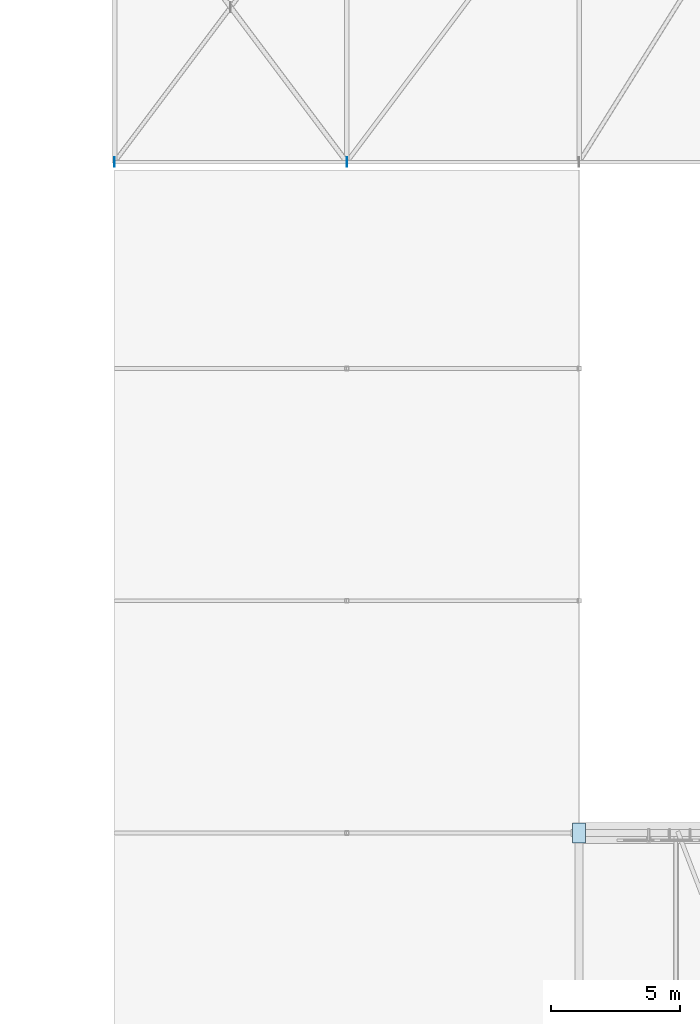
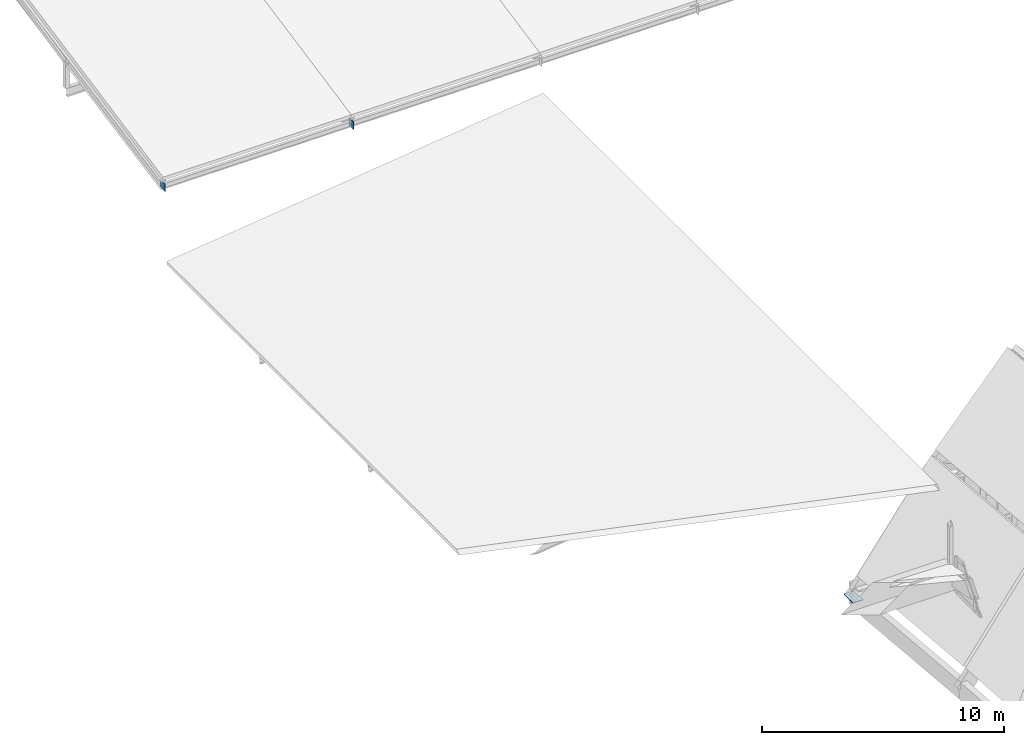
# One storey, part 69 of 93: 3 plates.
"""IFC4 building model written with IfcOpenShell, lengths in metres."""

import ifcopenshell
import ifcopenshell.guid

model = None  # the IFC model being written
_history = None  # IfcOwnerHistory: only IFC2X3 demands one
_inside = {}  # id of a spatial element -> (the spatial element, [elements in it])
_under = {}  # id of a project, library or spatial element -> (it, [spatial elements below it])
_declared = {}  # id of a project -> (the project, [libraries it declares])
_typed = {}  # id of a type object -> (the type object, [elements of that type])
_made_of = {}  # id of a material, layer set ... -> (it, [elements and type objects made of it])


def new_model(schema):
    """Start an empty IFC model of exactly this schema.

    Asked for "IFC4X3", IfcOpenShell would pick the latest addendum, in which some entities
    have other attributes; the version numbers below select the first issue.
    IFC2X3 requires an IfcOwnerHistory on every rooted entity: one is made here for all.
    """
    global model, _history
    if schema == "IFC4X3":
        model = ifcopenshell.file(schema_version=(4, 3, 0, 0))
    else:
        model = ifcopenshell.file(schema=schema)
    _inside.clear()
    _under.clear()
    _declared.clear()
    _typed.clear()
    _made_of.clear()
    _history = None
    if model.schema == "IFC2X3":
        org = make("IfcOrganization", Name="unknown")
        user = make(
            "IfcPersonAndOrganization",
            ThePerson=make("IfcPerson", FamilyName="unknown"),
            TheOrganization=org,
        )
        app = make(
            "IfcApplication",
            ApplicationDeveloper=org,
            Version="unknown",
            ApplicationFullName="unknown",
            ApplicationIdentifier="unknown",
        )
        _history = make(
            "IfcOwnerHistory",
            OwningUser=user,
            OwningApplication=app,
            ChangeAction="ADDED",
            CreationDate=0,
        )
    return model


def make(cls, **values):
    """One entity of the class cls with the attributes given. An attribute that is None is left unset."""
    return model.create_entity(
        cls, **{name: value for name, value in values.items() if value is not None}
    )


def rooted(cls, **values):
    """An entity with a GlobalId (a new one), such as an element, a storey or a relation."""
    return make(cls, GlobalId=ifcopenshell.guid.new(), OwnerHistory=_history, **values)


def si_unit(unit_type, name, prefix=None):
    """IfcSIUnit, for example si_unit("LENGTHUNIT", "METRE", prefix="MILLI")."""
    return make("IfcSIUnit", UnitType=unit_type, Prefix=prefix, Name=name)


def assignment(units):
    """IfcUnitAssignment: the units of a project."""
    return None if units is None else make("IfcUnitAssignment", Units=units)


def point(xyz):
    """IfcCartesianPoint."""
    return None if xyz is None else make("IfcCartesianPoint", Coordinates=xyz)


def direction(xyz):
    """IfcDirection."""
    return None if xyz is None else make("IfcDirection", DirectionRatios=xyz)


def frame(location, z_axis=None, x_axis=None):
    """IfcAxis2Placement3D, a coordinate frame: its origin and axes. An axis left out is left unset."""
    return make(
        "IfcAxis2Placement3D",
        Location=point(location),
        Axis=direction(z_axis),
        RefDirection=direction(x_axis),
    )


def frame_2d(location, x_axis=None):
    """IfcAxis2Placement2D, a coordinate frame in the plane: its origin and x axis."""
    return make(
        "IfcAxis2Placement2D", Location=point(location), RefDirection=direction(x_axis)
    )


def origin():
    """The frame at (0, 0, 0) with its axes left unset."""
    return frame((0.0, 0.0, 0.0))


def origin_2d():
    """The frame at (0, 0) in the plane with its x axis left unset."""
    return frame_2d((0.0, 0.0))


def place(relative_to, where):
    """IfcLocalPlacement: puts the frame where relative to a parent placement (None: the world)."""
    return make(
        "IfcLocalPlacement", PlacementRelTo=relative_to, RelativePlacement=where
    )


def context(
    kind, dimensions, precision=None, world=None, true_north=None, identifier=None
):
    """IfcGeometricRepresentationContext, for example the 3D "Model" context."""
    return make(
        "IfcGeometricRepresentationContext",
        ContextIdentifier=identifier,
        ContextType=kind,
        CoordinateSpaceDimension=dimensions,
        Precision=precision,
        WorldCoordinateSystem=world,
        TrueNorth=true_north,
    )


def subcontext(parent, identifier, kind, view, scale=None):
    """IfcGeometricRepresentationSubContext, for example "Body" below "Model"."""
    return make(
        "IfcGeometricRepresentationSubContext",
        ContextIdentifier=identifier,
        ContextType=kind,
        ParentContext=parent,
        TargetScale=scale,
        TargetView=view,
    )


def project(units=None, contexts=None):
    """IfcProject with its units and contexts."""
    return rooted(
        "IfcProject",
        Name="project",
        RepresentationContexts=contexts,
        UnitsInContext=assignment(units),
    )


def spatial(cls, under=None, at=None, **own):
    """A site, building, storey or space (cls), placed at a placement, below another one or the project."""
    s = rooted(cls, ObjectPlacement=at, **own)
    if under is not None:
        _under.setdefault(under.id(), (under, []))[1].append(s)
    return s


def profile(cls, at=None, kind="AREA", **sizes):
    """A parametric profile (cls). Its sizes go by their IFC names, for example OverallWidth=200.0."""
    return make(cls, ProfileType=kind, Position=at, **sizes)


def rectangle(**sizes):
    """IfcRectangleProfileDef."""
    return profile("IfcRectangleProfileDef", **sizes)


def extrude(swept, where, along, depth):
    """IfcExtrudedAreaSolid: the profile swept, set in the frame where, extruded along a direction by depth."""
    return make(
        "IfcExtrudedAreaSolid",
        SweptArea=swept,
        Position=where,
        ExtrudedDirection=direction(along),
        Depth=depth,
    )


def shape(context_of_items, identifier, shape_type, items):
    """IfcShapeRepresentation: the items that make up one representation, for example the "Body"."""
    return make(
        "IfcShapeRepresentation",
        ContextOfItems=context_of_items,
        RepresentationIdentifier=identifier,
        RepresentationType=shape_type,
        Items=items,
    )


def material(Name=None, Category=None):
    """IfcMaterial."""
    return make("IfcMaterial", Name=Name, Category=Category)


def layer(
    of_material, thickness, ventilated=None, Name=None, Category=None, Priority=None
):
    """IfcMaterialLayer: one layer of a wall or slab, of a material (None: an air gap)."""
    return make(
        "IfcMaterialLayer",
        Material=of_material,
        LayerThickness=thickness,
        IsVentilated=ventilated,
        Name=Name,
        Category=Category,
        Priority=Priority,
    )


def layer_set(layers, Name=None):
    """IfcMaterialLayerSet."""
    return make("IfcMaterialLayerSet", MaterialLayers=layers, LayerSetName=Name)


def made_of(thing, what):
    """Note that an element or type object is made of a material, layer set ...; save() writes the relation."""
    if what is not None:
        _made_of.setdefault(what.id(), (what, []))[1].append(thing)
    return thing


def type_object(cls, material=None, **own):
    """A type object (cls), such as IfcWallType, which elements share."""
    return made_of(rooted(cls, **own), material)


def element(
    cls,
    number,
    at=None,
    inside=None,
    cuts=None,
    type_object=None,
    material=None,
    context=None,
    identifier="Body",
    shape_type=None,
    held_by="IfcProductDefinitionShape",
    body=None,
    shapes=None,
    **own,
):
    """One element of the class cls, such as IfcWall. Its Tag is "e" and its number.

    at: its placement. inside: the storey or other place that contains it. cuts: it is an
    opening in that element (IfcRelVoidsElement). A single representation is given by context,
    identifier, shape_type and body (its items); several are given by shapes. held_by: the class
    of the entity that holds the representations. save() writes the other relations.
    """
    e = rooted(cls, Tag="e%d" % number, ObjectPlacement=at, **own)
    if body is not None:
        shapes = [shape(context, identifier, shape_type, body)]
    if shapes is not None:
        e.Representation = make(held_by, Representations=shapes)
    if inside is not None:
        _inside.setdefault(inside.id(), (inside, []))[1].append(e)
    if cuts is not None:
        rooted(
            "IfcRelVoidsElement", RelatingBuildingElement=cuts, RelatedOpeningElement=e
        )
    if type_object is not None:
        _typed.setdefault(type_object.id(), (type_object, []))[1].append(e)
    return made_of(e, material)


def aggregate(whole, parts):
    """IfcRelAggregates: a whole, such as a stair, and the parts it consists of."""
    return rooted("IfcRelAggregates", RelatingObject=whole, RelatedObjects=parts)


def save(model, path):
    """Write the relations noted so far, then the file.

    IfcRelAggregates (storeys below a building ...), IfcRelContainedInSpatialStructure (elements
    in a storey), IfcRelDefinesByType, IfcRelAssociatesMaterial and IfcRelDeclares: one each for
    every whole, place, type object, material and project.
    """
    for whole, parts in _under.values():
        aggregate(whole, parts)
    for where, things in _inside.values():
        rooted(
            "IfcRelContainedInSpatialStructure",
            RelatedElements=things,
            RelatingStructure=where,
        )
    for kind, things in _typed.values():
        rooted("IfcRelDefinesByType", RelatedObjects=things, RelatingType=kind)
    for what, things in _made_of.values():
        rooted("IfcRelAssociatesMaterial", RelatedObjects=things, RelatingMaterial=what)
    for by, libraries in _declared.values():
        rooted("IfcRelDeclares", RelatingContext=by, RelatedDefinitions=libraries)
    model.write(path)


model = new_model("IFC4")

# Units and contexts
model_context = context("Model", 3, precision=1e-05, world=origin(), true_north=direction((0.0, 1.0)))
body_context = subcontext(model_context, "Body", "Model", "MODEL_VIEW")
ifc_project = project(units=[si_unit("LENGTHUNIT", "METRE"), si_unit("AREAUNIT", "SQUARE_METRE"), si_unit("VOLUMEUNIT", "CUBIC_METRE"), si_unit("PLANEANGLEUNIT", "RADIAN"), si_unit("MASSUNIT", "GRAM", prefix="KILO")], contexts=[model_context])

# Site, building, storey
site_placement = place(None, origin())
site = spatial("IfcSite", under=ifc_project, at=site_placement, CompositionType="ELEMENT")
building_placement = place(site_placement, origin())
building = spatial("IfcBuilding", under=site, at=building_placement, Name="Vourika Railside Aquatics Centre", CompositionType="ELEMENT")
storey_placement = place(building_placement, frame((0.0, 0.0, 21.89990234375)))
storey = spatial("IfcBuildingStorey", under=building, at=storey_placement, Name="Roof", CompositionType="ELEMENT", Elevation=21.89990234375)

# Plates
ifc_material_1 = material(Name="Steel S355J2", Category="steel")
ifc_layer_1 = layer(ifc_material_1, 0.3798828125, Name="PLT-ECAP-22x380x380")
ifc_layer_set_1 = layer_set([ifc_layer_1], Name="Steel S355J2")
plate_type_1 = type_object("IfcPlateType", Name="PLT-ECAP-22x380x380", PredefinedType="USERDEFINED", material=ifc_layer_set_1)
for number, where, z_axis, x_axis, name in (
    (1, (18.0, 92.0, -0.56982421875), (0.0, 0.0, 1.0), (1.0, 0.0, 0.0), "Steel Brace End Knife Plate BP-0359"),
    (2, (27.0, 92.0, -0.56982421875), (0.0, 0.0, 1.0), (1.0, 0.0, 0.0), "Steel Brace End Knife Plate BP-0364"),
):
    element("IfcPlate", number, at=place(storey_placement, frame(where, z_axis=z_axis, x_axis=x_axis)), inside=storey, type_object=plate_type_1, Name=name, ObjectType="BASE PLATE", PredefinedType="USERDEFINED", context=body_context, shape_type="SweptSolid", body=[
        extrude(rectangle(XDim=0.02197265625, YDim=0.3798828125, at=origin_2d()), origin(), (0.0, 0.0, 1.0), 0.3798828125),
    ])
ifc_material_2 = material(Name="Duplex stainless steel EN 1.4462", Category="steel")
ifc_layer_2 = layer(ifc_material_2, 0.028076171875, Name="PLT-VAL-760x500x28")
ifc_layer_set_2 = layer_set([ifc_layer_2], Name="Duplex stainless steel EN 1.4462")
plate_type_2 = type_object("IfcPlateType", Name="PLT-VAL-760x500x28", PredefinedType="USERDEFINED", material=ifc_layer_set_2)
plate_placement = place(storey_placement, frame((36.0, 66.0, -11.7138671875), z_axis=(0.0, 0.0, 1.0), x_axis=(0.0, 1.0, 0.0)))
element("IfcPlate", 3, at=plate_placement, inside=storey, type_object=plate_type_2, Name="Stainless Valley Truss Gusset SN-065", ObjectType="GUSSET PLATE", PredefinedType="USERDEFINED", context=body_context, shape_type="SweptSolid", body=[
    extrude(rectangle(XDim=0.760009765625, YDim=0.5, at=origin_2d()), origin(), (0.0, 0.0, 1.0), 0.028076171875),
])

save(model, "model.ifc")
